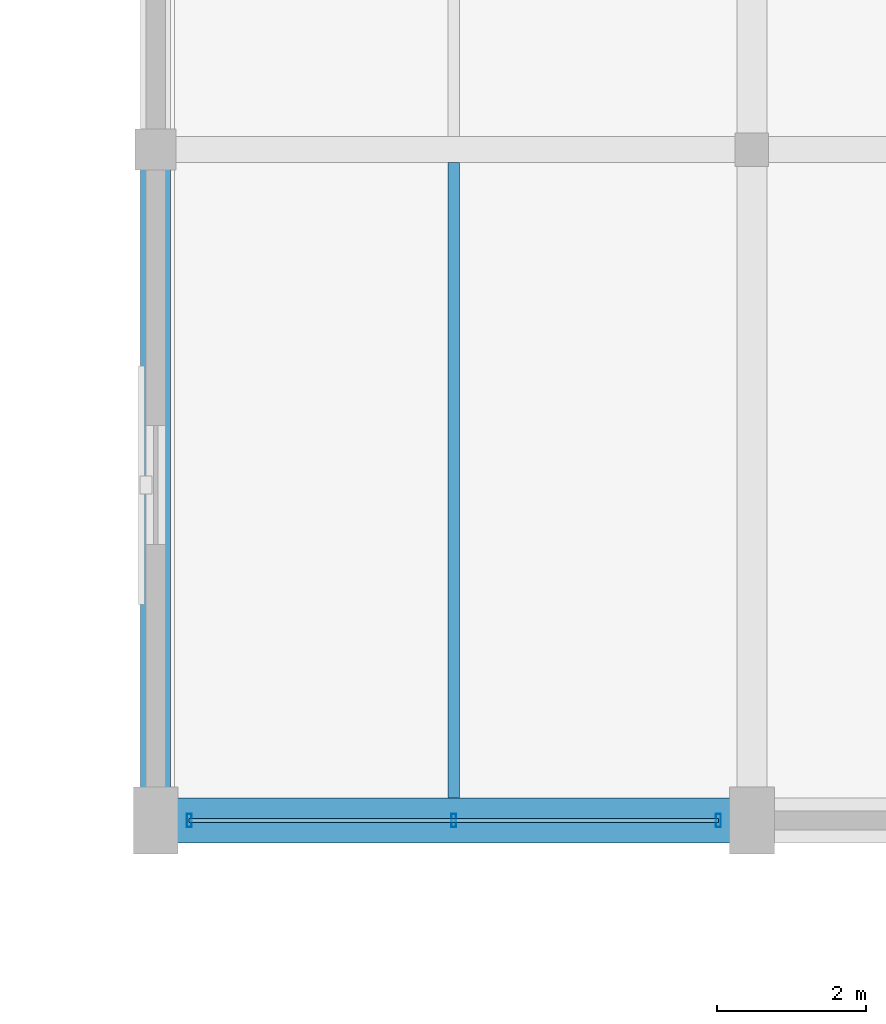
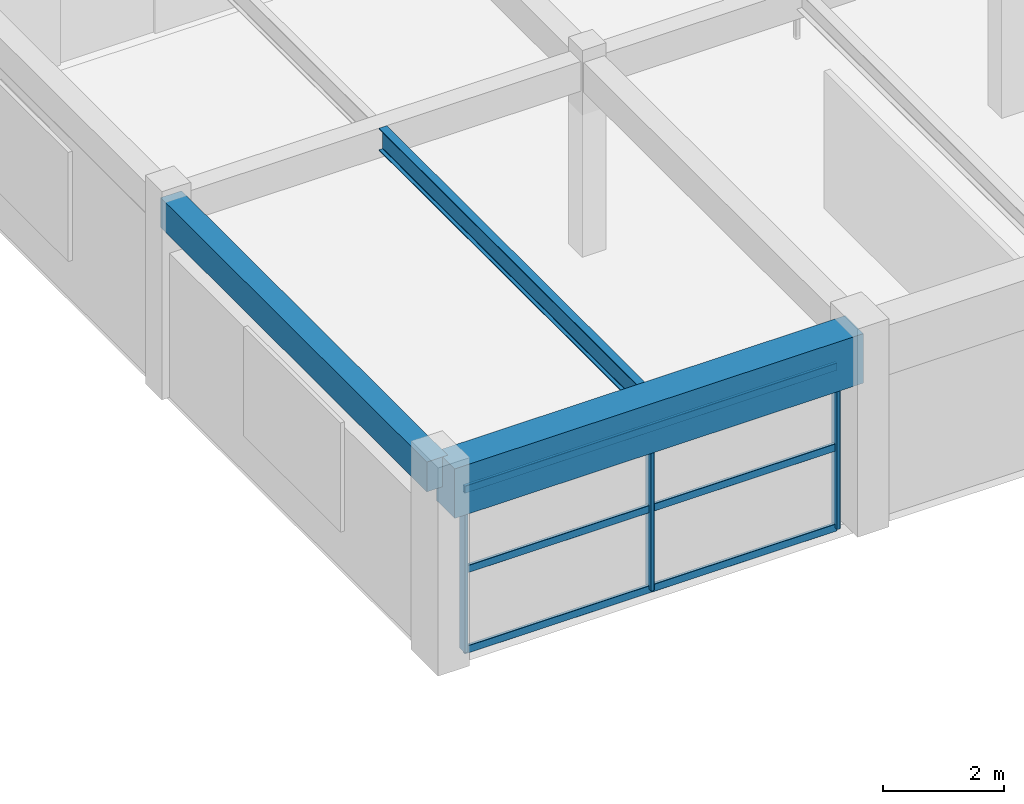
# One storey, part 39 of 126: 6 members, 3 beams, 1 element without a shape of its own.
"""IFC4 building model written with IfcOpenShell, lengths in metres."""

from ifc_helpers import new_model, si_unit, direction, frame, origin, origin_2d, place, context, subcontext, project, spatial, rectangle, hollow_rectangle, i_section, extrude, material, material_profile, profile_set, type_object, element, aggregate, save


model = new_model("IFC4")

# Units and contexts
model_context = context("Model", 3, precision=1e-05, world=origin(), true_north=direction((0.0, 1.0)))
body_context = subcontext(model_context, "Body", "Model", "MODEL_VIEW")
ifc_project = project(units=[si_unit("LENGTHUNIT", "METRE"), si_unit("AREAUNIT", "SQUARE_METRE"), si_unit("VOLUMEUNIT", "CUBIC_METRE"), si_unit("PLANEANGLEUNIT", "RADIAN"), si_unit("MASSUNIT", "GRAM", prefix="KILO")], contexts=[model_context])

# Site, building, storey
site_placement = place(None, origin())
site = spatial("IfcSite", under=ifc_project, at=site_placement, CompositionType="ELEMENT")
building_placement = place(site_placement, origin())
building = spatial("IfcBuilding", under=site, at=building_placement, Name="Varnabhumi Central Station", CompositionType="ELEMENT")
storey_placement = place(building_placement, frame((0.0, 0.0, 16.199951171875)))
storey = spatial("IfcBuildingStorey", under=building, at=storey_placement, Name="L03", CompositionType="ELEMENT", Elevation=16.199951171875)

# Beams
ifc_material_1 = material(Name="Structural steel E350", Category="steel")
ifc_material_profile_1 = material_profile(ifc_material_1, i_section(OverallWidth=0.14990234375, OverallDepth=0.449951171875, WebThickness=0.009521484375, FlangeThickness=0.017333984375, FilletRadius=0.014892578125, at=origin_2d()), Name="Structural steel E350", Category="steel")
ifc_profile_set_1 = profile_set([ifc_material_profile_1], Name="Structural steel E350")
beam_type_1 = type_object("IfcBeamType", Name="BM-JST-ISMB450", PredefinedType="JOIST", material=ifc_profile_set_1)
beam_1_placement = place(storey_placement, frame((28.0, 80.300048828125, 3.72509765625), z_axis=(0.0, 1.0, 0.0), x_axis=(-1.0, 0.0, 0.0)))
element("IfcBeam", 1, at=beam_1_placement, inside=storey, type_object=beam_type_1, Name="Secondary Joist L03-4/5:K-L", PredefinedType="JOIST", context=body_context, shape_type="SweptSolid", body=[
    extrude(i_section(OverallWidth=0.14990234375, OverallDepth=0.449951171875, WebThickness=0.009521484375, FlangeThickness=0.017333984375, FilletRadius=0.014892578125, at=origin_2d()), origin(), (0.0, 0.0, 1.0), 8.52490234375),
])
ifc_material_2 = material(Name="Concrete M40", Category="concrete")
ifc_material_profile_2 = material_profile(ifc_material_2, rectangle(XDim=0.39990234375, YDim=0.60009765625, at=origin_2d()), Name="Concrete M40", Category="concrete")
ifc_profile_set_2 = profile_set([ifc_material_profile_2], Name="Concrete M40")
beam_type_2 = type_object("IfcBeamType", Name="BM-RC-400x600", PredefinedType="BEAM", material=ifc_profile_set_2)
beam_2_placement = place(storey_placement, frame((24.0, 80.10009765625, 3.650146484375), z_axis=(0.0, 1.0, 0.0), x_axis=(-1.0, 0.0, 0.0)))
element("IfcBeam", 2, at=beam_2_placement, inside=storey, type_object=beam_type_2, Name="Beam L03-4:K-L", PredefinedType="BEAM", context=body_context, shape_type="SweptSolid", body=[
    extrude(rectangle(XDim=0.39990234375, YDim=0.60009765625, at=origin_2d()), origin(), (0.0, 0.0, 1.0), 8.7998046875),
])
ifc_material_3 = material(Name="Concrete M50", Category="concrete")
ifc_material_profile_3 = material_profile(ifc_material_3, rectangle(XDim=0.60009765625, YDim=1.0, at=origin_2d()), Name="Concrete M50", Category="concrete")
ifc_profile_set_3 = profile_set([ifc_material_profile_3], Name="Concrete M50")
beam_type_3 = type_object("IfcBeamType", Name="BM-RC-600x1000", PredefinedType="BEAM", material=ifc_profile_set_3)
beam_3_placement = place(storey_placement, frame((24.10009765625, 80.0, 3.449951171875), z_axis=(1.0, 0.0, 0.0), x_axis=(0.0, 1.0, 0.0)))
element("IfcBeam", 3, at=beam_3_placement, inside=storey, type_object=beam_type_3, Name="Beam L03-K:4-5", PredefinedType="BEAM", context=body_context, shape_type="SweptSolid", body=[
    extrude(rectangle(XDim=0.60009765625, YDim=1.0, at=origin_2d()), origin(), (0.0, 0.0, 1.0), 7.7998046875),
])

# Curtain wall, members
ifc_material_4 = material(Name="Anodised aluminium 6063-T6", Category="aluminium")
curtain_wall_type = type_object("IfcCurtainWallType", Name="CW-SPINE-SCREEN-L0", PredefinedType="NOTDEFINED", material=ifc_material_4)
curtain_wall_placement = place(storey_placement, origin())
curtain_wall = element("IfcCurtainWall", 4, at=curtain_wall_placement, inside=storey, type_object=curtain_wall_type, Name="Curtain Wall CW-NS300", PredefinedType="NOTDEFINED")
ifc_material_profile_4 = material_profile(ifc_material_4, hollow_rectangle(XDim=0.06494140625, YDim=0.179931640625, WallThickness=0.00390625, InnerFilletRadius=0.001953125, OuterFilletRadius=0.006103515625, at=origin_2d()), Name="Anodised aluminium 6063-T6", Category="aluminium")
ifc_profile_set_4 = profile_set([ifc_material_profile_4], Name="Anodised aluminium 6063-T6")
member_type_1 = type_object("IfcMemberType", Name="CW-MUL-180", PredefinedType="MULLION", material=ifc_profile_set_4)
member_1_placement = place(storey_placement, frame((24.449951171875, 80.0, 0.0), z_axis=(0.0, 0.0, 1.0), x_axis=(1.0, 0.0, 0.0)))
member_1 = element("IfcMember", 5, at=member_1_placement, type_object=member_type_1, Name="Curtain Wall Mullion CW-NS300-M1", PredefinedType="MULLION", context=body_context, shape_type="SweptSolid", body=[
    extrude(hollow_rectangle(XDim=0.06494140625, YDim=0.179931640625, WallThickness=0.00390625, InnerFilletRadius=0.001953125, OuterFilletRadius=0.006103515625, at=origin_2d()), origin(), (0.0, 0.0, 1.0), 3.239990234375),
])
member_2_placement = place(storey_placement, frame((28.0, 80.0, 0.0), z_axis=(0.0, 0.0, 1.0), x_axis=(1.0, 0.0, 0.0)))
member_2 = element("IfcMember", 6, at=member_2_placement, type_object=member_type_1, Name="Curtain Wall Mullion CW-NS300-M2", PredefinedType="MULLION", context=body_context, shape_type="SweptSolid", body=[
    extrude(hollow_rectangle(XDim=0.06494140625, YDim=0.179931640625, WallThickness=0.00390625, InnerFilletRadius=0.001953125, OuterFilletRadius=0.006103515625, at=origin_2d()), origin(), (0.0, 0.0, 1.0), 3.239990234375),
])
member_3_placement = place(storey_placement, frame((31.550048828125, 80.0, 0.0), z_axis=(0.0, 0.0, 1.0), x_axis=(1.0, 0.0, 0.0)))
member_3 = element("IfcMember", 7, at=member_3_placement, type_object=member_type_1, Name="Curtain Wall Mullion CW-NS300-M3", PredefinedType="MULLION", context=body_context, shape_type="SweptSolid", body=[
    extrude(hollow_rectangle(XDim=0.06494140625, YDim=0.179931640625, WallThickness=0.00390625, InnerFilletRadius=0.001953125, OuterFilletRadius=0.006103515625, at=origin_2d()), origin(), (0.0, 0.0, 1.0), 3.239990234375),
])
ifc_material_profile_5 = material_profile(ifc_material_4, hollow_rectangle(XDim=0.06005859375, YDim=0.14990234375, WallThickness=0.00390625, InnerFilletRadius=0.001953125, OuterFilletRadius=0.006103515625, at=origin_2d()), Name="Anodised aluminium 6063-T6", Category="aluminium")
ifc_profile_set_5 = profile_set([ifc_material_profile_5], Name="Anodised aluminium 6063-T6")
member_type_2 = type_object("IfcMemberType", Name="CW-TR-150", PredefinedType="USERDEFINED", material=ifc_profile_set_5)
member_4_placement = place(storey_placement, frame((24.449951171875, 80.0, 0.0), z_axis=(1.0, 0.0, 0.0), x_axis=(0.0, 1.0, 0.0)))
member_4 = element("IfcMember", 8, at=member_4_placement, type_object=member_type_2, Name="Curtain Wall Transom CW-NS300-T1", ObjectType="TRANSOM", PredefinedType="USERDEFINED", context=body_context, shape_type="SweptSolid", body=[
    extrude(hollow_rectangle(XDim=0.06005859375, YDim=0.14990234375, WallThickness=0.00390625, InnerFilletRadius=0.001953125, OuterFilletRadius=0.006103515625, at=origin_2d()), origin(), (0.0, 0.0, 1.0), 7.10009765625),
])
member_5_placement = place(storey_placement, frame((24.449951171875, 80.0, 1.6201171875), z_axis=(1.0, 0.0, 0.0), x_axis=(0.0, 1.0, 0.0)))
member_5 = element("IfcMember", 9, at=member_5_placement, type_object=member_type_2, Name="Curtain Wall Transom CW-NS300-T2", ObjectType="TRANSOM", PredefinedType="USERDEFINED", context=body_context, shape_type="SweptSolid", body=[
    extrude(hollow_rectangle(XDim=0.06005859375, YDim=0.14990234375, WallThickness=0.00390625, InnerFilletRadius=0.001953125, OuterFilletRadius=0.006103515625, at=origin_2d()), origin(), (0.0, 0.0, 1.0), 7.10009765625),
])
member_6_placement = place(storey_placement, frame((24.449951171875, 80.0, 3.239990234375), z_axis=(1.0, 0.0, 0.0), x_axis=(0.0, 1.0, 0.0)))
member_6 = element("IfcMember", 10, at=member_6_placement, type_object=member_type_2, Name="Curtain Wall Transom CW-NS300-T3", ObjectType="TRANSOM", PredefinedType="USERDEFINED", context=body_context, shape_type="SweptSolid", body=[
    extrude(hollow_rectangle(XDim=0.06005859375, YDim=0.14990234375, WallThickness=0.00390625, InnerFilletRadius=0.001953125, OuterFilletRadius=0.006103515625, at=origin_2d()), origin(), (0.0, 0.0, 1.0), 7.10009765625),
])
aggregate(curtain_wall, [member_1, member_2, member_3, member_4, member_5, member_6])

save(model, "model.ifc")
